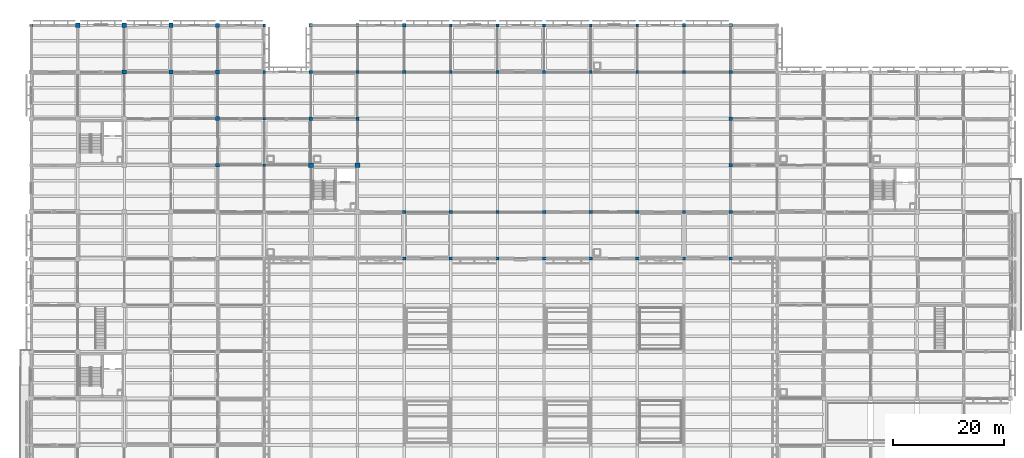
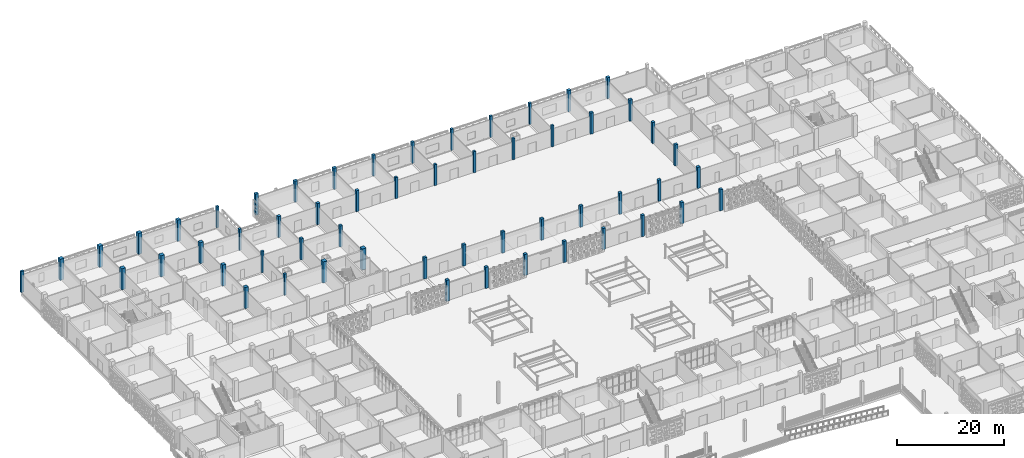
# One storey, part 2 of 129: 56 columns.
"""IFC4 building model written with IfcOpenShell, lengths in metres."""

from ifc_helpers import new_model, si_unit, direction, frame, origin, origin_2d, place, context, subcontext, project, spatial, rectangle, extrude, material, material_profile, profile_set, type_object, element, save


model = new_model("IFC4")

# Units and contexts
model_context = context("Model", 3, precision=1e-05, world=origin(), true_north=direction((0.0, 1.0)))
body_context = subcontext(model_context, "Body", "Model", "MODEL_VIEW")
ifc_project = project(units=[si_unit("LENGTHUNIT", "METRE"), si_unit("AREAUNIT", "SQUARE_METRE"), si_unit("VOLUMEUNIT", "CUBIC_METRE"), si_unit("PLANEANGLEUNIT", "RADIAN"), si_unit("MASSUNIT", "GRAM", prefix="KILO")], contexts=[model_context])

# Site, building, storey
site_placement = place(None, origin())
site = spatial("IfcSite", under=ifc_project, at=site_placement, CompositionType="ELEMENT")
building_placement = place(site_placement, origin())
building = spatial("IfcBuilding", under=site, at=building_placement, Name="Varnapada Polytechnic", CompositionType="ELEMENT")
storey_placement = place(building_placement, origin())
storey = spatial("IfcBuildingStorey", under=building, at=storey_placement, Name="L00", CompositionType="ELEMENT", Elevation=0.0)

# Columns
ifc_material = material(Name="Concrete C40/50", Category="concrete")
ifc_material_profile_1 = material_profile(ifc_material, rectangle(XDim=0.85009765625, YDim=0.85009765625, at=origin_2d()), Name="RC 850x850")
ifc_profile_set_1 = profile_set([ifc_material_profile_1], Name="Concrete C40/50")
column_type_1 = type_object("IfcColumnType", Name="Column C-01 (RC 850x850)", PredefinedType="COLUMN", material=ifc_profile_set_1)
for number, where, z_axis, x_axis, name in (
    (1, (50.39990234375, 100.800048828125, 0.0), (0.0, 0.0, 1.0), (1.0, 0.0, 0.0), "L00 column 7/13"),
    (2, (58.800048828125, 100.800048828125, 0.0), (0.0, 0.0, 1.0), (1.0, 0.0, 0.0), "L00 column 8/13"),
):
    element("IfcColumn", number, at=place(storey_placement, frame(where, z_axis=z_axis, x_axis=x_axis)), inside=storey, type_object=column_type_1, Name=name, PredefinedType="COLUMN", context=body_context, shape_type="SweptSolid", body=[
        extrude(rectangle(XDim=0.85009765625, YDim=0.85009765625, at=origin_2d()), origin(), (0.0, 0.0, 1.0), 4.800048828125),
    ])
ifc_material_profile_2 = material_profile(ifc_material, rectangle(XDim=0.60009765625, YDim=0.39990234375, at=origin_2d()), Name="RC 600x400")
ifc_profile_set_2 = profile_set([ifc_material_profile_2], Name="Concrete C40/50")
column_type_2 = type_object("IfcColumnType", Name="Column C-05 (RC 600x400)", PredefinedType="PILASTER", material=ifc_profile_set_2)
column_placement = place(storey_placement, frame((0.0, 126.0, 0.0), z_axis=(0.0, 0.0, 1.0), x_axis=(1.0, 0.0, 0.0)))
element("IfcColumn", 3, at=column_placement, inside=storey, type_object=column_type_2, Name="L00 column 1/16", PredefinedType="PILASTER", context=body_context, shape_type="SweptSolid", body=[
    extrude(rectangle(XDim=0.60009765625, YDim=0.39990234375, at=origin_2d()), origin(), (0.0, 0.0, 1.0), 4.800048828125),
])
ifc_material_profile_3 = material_profile(ifc_material, rectangle(XDim=0.800048828125, YDim=0.800048828125, at=origin_2d()), Name="RC 800x800")
ifc_profile_set_3 = profile_set([ifc_material_profile_3], Name="Concrete C40/50")
column_type_3 = type_object("IfcColumnType", Name="Column C-16 (RC 800x800)", PredefinedType="COLUMN", material=ifc_profile_set_3)
for number, where, z_axis, x_axis, name in (
    (4, (8.39990234375, 126.0, 0.0), (0.0, 0.0, 1.0), (1.0, 0.0, 0.0), "L00 column 2/16"),
    (5, (16.800048828125, 117.60009765625, 0.0), (0.0, 0.0, 1.0), (1.0, 0.0, 0.0), "L00 column 3/15"),
    (6, (16.800048828125, 126.0, 0.0), (0.0, 0.0, 1.0), (1.0, 0.0, 0.0), "L00 column 3/16"),
    (7, (25.199951171875, 117.60009765625, 0.0), (0.0, 0.0, 1.0), (1.0, 0.0, 0.0), "L00 column 4/15"),
    (8, (25.199951171875, 126.0, 0.0), (0.0, 0.0, 1.0), (1.0, 0.0, 0.0), "L00 column 4/16"),
):
    element("IfcColumn", number, at=place(storey_placement, frame(where, z_axis=z_axis, x_axis=x_axis)), inside=storey, type_object=column_type_3, Name=name, PredefinedType="COLUMN", context=body_context, shape_type="SweptSolid", body=[
        extrude(rectangle(XDim=0.800048828125, YDim=0.800048828125, at=origin_2d()), origin(), (0.0, 0.0, 1.0), 4.800048828125),
    ])
ifc_material_profile_4 = material_profile(ifc_material, rectangle(XDim=0.699951171875, YDim=0.699951171875, at=origin_2d()), Name="RC 700x700")
ifc_profile_set_4 = profile_set([ifc_material_profile_4], Name="Concrete C40/50")
column_type_4 = type_object("IfcColumnType", Name="Column C-17 (RC 700x700)", PredefinedType="COLUMN", material=ifc_profile_set_4)
for number, where, z_axis, x_axis, name in (
    (9, (33.60009765625, 100.800048828125, 0.0), (0.0, 0.0, 1.0), (1.0, 0.0, 0.0), "L00 column 5/13"),
    (10, (33.60009765625, 109.199951171875, 0.0), (0.0, 0.0, 1.0), (1.0, 0.0, 0.0), "L00 column 5/14"),
    (11, (33.60009765625, 117.60009765625, 0.0), (0.0, 0.0, 1.0), (1.0, 0.0, 0.0), "L00 column 5/15"),
    (12, (33.60009765625, 126.0, 0.0), (0.0, 0.0, 1.0), (1.0, 0.0, 0.0), "L00 column 5/16"),
):
    element("IfcColumn", number, at=place(storey_placement, frame(where, z_axis=z_axis, x_axis=x_axis)), inside=storey, type_object=column_type_4, Name=name, PredefinedType="COLUMN", context=body_context, shape_type="SweptSolid", body=[
        extrude(rectangle(XDim=0.699951171875, YDim=0.699951171875, at=origin_2d()), origin(), (0.0, 0.0, 1.0), 4.800048828125),
    ])
ifc_material_profile_5 = material_profile(ifc_material, rectangle(XDim=0.60009765625, YDim=0.60009765625, at=origin_2d()), Name="RC 600x600")
ifc_profile_set_5 = profile_set([ifc_material_profile_5], Name="Concrete C40/50")
column_type_5 = type_object("IfcColumnType", Name="Column C-18 (RC 600x600)", PredefinedType="COLUMN", material=ifc_profile_set_5)
for number, where, z_axis, x_axis, name in (
    (13, (50.39990234375, 109.199951171875, 0.0), (0.0, 0.0, 1.0), (1.0, 0.0, 0.0), "L00 column 7/14"),
    (14, (50.39990234375, 117.60009765625, 0.0), (0.0, 0.0, 1.0), (1.0, 0.0, 0.0), "L00 column 7/15"),
    (15, (50.39990234375, 126.0, 0.0), (0.0, 0.0, 1.0), (1.0, 0.0, 0.0), "L00 column 7/16"),
    (16, (58.800048828125, 109.199951171875, 0.0), (0.0, 0.0, 1.0), (1.0, 0.0, 0.0), "L00 column 8/14"),
    (17, (58.800048828125, 117.60009765625, 0.0), (0.0, 0.0, 1.0), (1.0, 0.0, 0.0), "L00 column 8/15"),
    (18, (58.800048828125, 126.0, 0.0), (0.0, 0.0, 1.0), (1.0, 0.0, 0.0), "L00 column 8/16"),
    (19, (67.199951171875, 84.0, 0.0), (0.0, 0.0, 1.0), (1.0, 0.0, 0.0), "L00 column 9/11"),
    (20, (67.199951171875, 92.39990234375, 0.0), (0.0, 0.0, 1.0), (1.0, 0.0, 0.0), "L00 column 9/12"),
    (21, (67.199951171875, 117.60009765625, 0.0), (0.0, 0.0, 1.0), (1.0, 0.0, 0.0), "L00 column 9/15"),
    (22, (67.199951171875, 126.0, 0.0), (0.0, 0.0, 1.0), (1.0, 0.0, 0.0), "L00 column 9/16"),
    (23, (75.60009765625, 84.0, 0.0), (0.0, 0.0, 1.0), (1.0, 0.0, 0.0), "L00 column 10/11"),
    (24, (75.60009765625, 92.39990234375, 0.0), (0.0, 0.0, 1.0), (1.0, 0.0, 0.0), "L00 column 10/12"),
    (25, (84.0, 84.0, 0.0), (0.0, 0.0, 1.0), (1.0, 0.0, 0.0), "L00 column 11/11"),
    (26, (84.0, 92.39990234375, 0.0), (0.0, 0.0, 1.0), (1.0, 0.0, 0.0), "L00 column 11/12"),
    (27, (92.39990234375, 84.0, 0.0), (0.0, 0.0, 1.0), (1.0, 0.0, 0.0), "L00 column 12/11"),
    (28, (92.39990234375, 92.39990234375, 0.0), (0.0, 0.0, 1.0), (1.0, 0.0, 0.0), "L00 column 12/12"),
    (29, (100.800048828125, 84.0, 0.0), (0.0, 0.0, 1.0), (1.0, 0.0, 0.0), "L00 column 13/11"),
    (30, (100.800048828125, 92.39990234375, 0.0), (0.0, 0.0, 1.0), (1.0, 0.0, 0.0), "L00 column 13/12"),
    (31, (109.199951171875, 84.0, 0.0), (0.0, 0.0, 1.0), (1.0, 0.0, 0.0), "L00 column 14/11"),
    (32, (109.199951171875, 92.39990234375, 0.0), (0.0, 0.0, 1.0), (1.0, 0.0, 0.0), "L00 column 14/12"),
    (33, (117.60009765625, 84.0, 0.0), (0.0, 0.0, 1.0), (1.0, 0.0, 0.0), "L00 column 15/11"),
    (34, (117.60009765625, 92.39990234375, 0.0), (0.0, 0.0, 1.0), (1.0, 0.0, 0.0), "L00 column 15/12"),
    (35, (117.60009765625, 117.60009765625, 0.0), (0.0, 0.0, 1.0), (1.0, 0.0, 0.0), "L00 column 15/15"),
    (36, (117.60009765625, 126.0, 0.0), (0.0, 0.0, 1.0), (1.0, 0.0, 0.0), "L00 column 15/16"),
    (37, (126.0, 84.0, 0.0), (0.0, 0.0, 1.0), (1.0, 0.0, 0.0), "L00 column 16/11"),
    (38, (126.0, 92.39990234375, 0.0), (0.0, 0.0, 1.0), (1.0, 0.0, 0.0), "L00 column 16/12"),
    (39, (126.0, 100.800048828125, 0.0), (0.0, 0.0, 1.0), (1.0, 0.0, 0.0), "L00 column 16/13"),
    (40, (126.0, 109.199951171875, 0.0), (0.0, 0.0, 1.0), (1.0, 0.0, 0.0), "L00 column 16/14"),
    (41, (126.0, 117.60009765625, 0.0), (0.0, 0.0, 1.0), (1.0, 0.0, 0.0), "L00 column 16/15"),
    (42, (126.0, 126.0, 0.0), (0.0, 0.0, 1.0), (1.0, 0.0, 0.0), "L00 column 16/16"),
):
    element("IfcColumn", number, at=place(storey_placement, frame(where, z_axis=z_axis, x_axis=x_axis)), inside=storey, type_object=column_type_5, Name=name, PredefinedType="COLUMN", context=body_context, shape_type="SweptSolid", body=[
        extrude(rectangle(XDim=0.60009765625, YDim=0.60009765625, at=origin_2d()), origin(), (0.0, 0.0, 1.0), 4.800048828125),
    ])
ifc_material_profile_6 = material_profile(ifc_material, rectangle(XDim=0.5, YDim=0.5, at=origin_2d()), Name="RC 500x500")
ifc_profile_set_6 = profile_set([ifc_material_profile_6], Name="Concrete C40/50")
column_type_6 = type_object("IfcColumnType", Name="Column C-29 (RC 500x500)", PredefinedType="COLUMN", material=ifc_profile_set_6)
for number, where, z_axis, x_axis, name in (
    (43, (42.0, 100.800048828125, 0.0), (0.0, 0.0, 1.0), (1.0, 0.0, 0.0), "L00 column 6/13"),
    (44, (42.0, 109.199951171875, 0.0), (0.0, 0.0, 1.0), (1.0, 0.0, 0.0), "L00 column 6/14"),
    (45, (42.0, 117.60009765625, 0.0), (0.0, 0.0, 1.0), (1.0, 0.0, 0.0), "L00 column 6/15"),
    (46, (42.0, 126.0, 0.0), (0.0, 0.0, 1.0), (1.0, 0.0, 0.0), "L00 column 6/16"),
    (47, (75.60009765625, 117.60009765625, 0.0), (0.0, 0.0, 1.0), (1.0, 0.0, 0.0), "L00 column 10/15"),
    (48, (75.60009765625, 126.0, 0.0), (0.0, 0.0, 1.0), (1.0, 0.0, 0.0), "L00 column 10/16"),
    (49, (84.0, 117.60009765625, 0.0), (0.0, 0.0, 1.0), (1.0, 0.0, 0.0), "L00 column 11/15"),
    (50, (84.0, 126.0, 0.0), (0.0, 0.0, 1.0), (1.0, 0.0, 0.0), "L00 column 11/16"),
    (51, (92.39990234375, 117.60009765625, 0.0), (0.0, 0.0, 1.0), (1.0, 0.0, 0.0), "L00 column 12/15"),
    (52, (92.39990234375, 126.0, 0.0), (0.0, 0.0, 1.0), (1.0, 0.0, 0.0), "L00 column 12/16"),
    (53, (100.800048828125, 117.60009765625, 0.0), (0.0, 0.0, 1.0), (1.0, 0.0, 0.0), "L00 column 13/15"),
    (54, (100.800048828125, 126.0, 0.0), (0.0, 0.0, 1.0), (1.0, 0.0, 0.0), "L00 column 13/16"),
    (55, (109.199951171875, 117.60009765625, 0.0), (0.0, 0.0, 1.0), (1.0, 0.0, 0.0), "L00 column 14/15"),
    (56, (109.199951171875, 126.0, 0.0), (0.0, 0.0, 1.0), (1.0, 0.0, 0.0), "L00 column 14/16"),
):
    element("IfcColumn", number, at=place(storey_placement, frame(where, z_axis=z_axis, x_axis=x_axis)), inside=storey, type_object=column_type_6, Name=name, PredefinedType="COLUMN", context=body_context, shape_type="SweptSolid", body=[
        extrude(rectangle(XDim=0.5, YDim=0.5, at=origin_2d()), origin(), (0.0, 0.0, 1.0), 4.800048828125),
    ])

save(model, "model.ifc")
